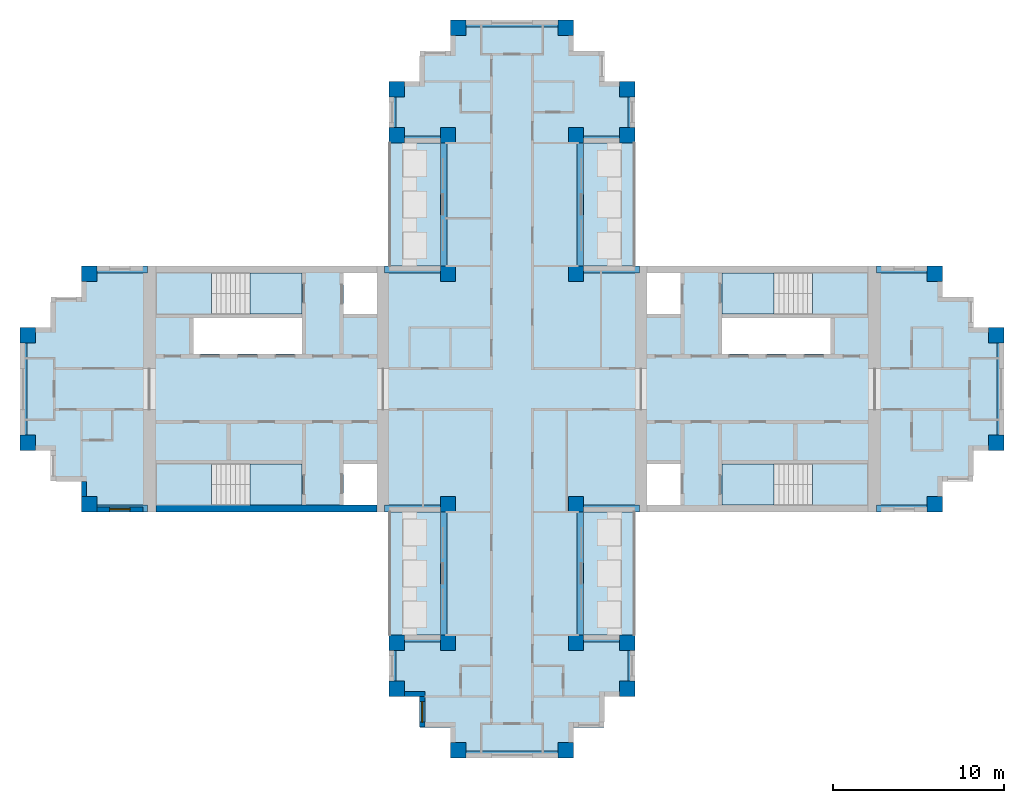
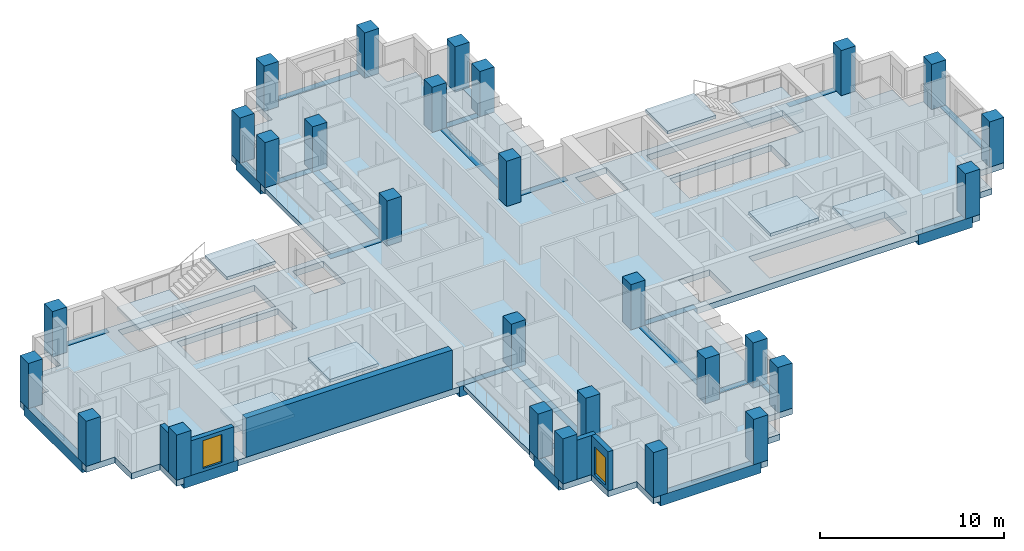
# One storey, part 1 of 10: 28 columns, 24 beams, 13 slabs, 5 walls, 2 windows, 2 openings, 4 elements without a shape of their own.
"""IFC4 building model written with IfcOpenShell, lengths in metres."""

import ifcopenshell
import ifcopenshell.guid

model = None  # the IFC model being written
_history = None  # IfcOwnerHistory: only IFC2X3 demands one
_inside = {}  # id of a spatial element -> (the spatial element, [elements in it])
_under = {}  # id of a project, library or spatial element -> (it, [spatial elements below it])
_declared = {}  # id of a project -> (the project, [libraries it declares])
_typed = {}  # id of a type object -> (the type object, [elements of that type])
_made_of = {}  # id of a material, layer set ... -> (it, [elements and type objects made of it])


def new_model(schema):
    """Start an empty IFC model of exactly this schema.

    Asked for "IFC4X3", IfcOpenShell would pick the latest addendum, in which some entities
    have other attributes; the version numbers below select the first issue.
    IFC2X3 requires an IfcOwnerHistory on every rooted entity: one is made here for all.
    """
    global model, _history
    if schema == "IFC4X3":
        model = ifcopenshell.file(schema_version=(4, 3, 0, 0))
    else:
        model = ifcopenshell.file(schema=schema)
    _inside.clear()
    _under.clear()
    _declared.clear()
    _typed.clear()
    _made_of.clear()
    _history = None
    if model.schema == "IFC2X3":
        org = make("IfcOrganization", Name="unknown")
        user = make(
            "IfcPersonAndOrganization",
            ThePerson=make("IfcPerson", FamilyName="unknown"),
            TheOrganization=org,
        )
        app = make(
            "IfcApplication",
            ApplicationDeveloper=org,
            Version="unknown",
            ApplicationFullName="unknown",
            ApplicationIdentifier="unknown",
        )
        _history = make(
            "IfcOwnerHistory",
            OwningUser=user,
            OwningApplication=app,
            ChangeAction="ADDED",
            CreationDate=0,
        )
    return model


def make(cls, **values):
    """One entity of the class cls with the attributes given. An attribute that is None is left unset."""
    return model.create_entity(
        cls, **{name: value for name, value in values.items() if value is not None}
    )


def rooted(cls, **values):
    """An entity with a GlobalId (a new one), such as an element, a storey or a relation."""
    return make(cls, GlobalId=ifcopenshell.guid.new(), OwnerHistory=_history, **values)


def si_unit(unit_type, name, prefix=None):
    """IfcSIUnit, for example si_unit("LENGTHUNIT", "METRE", prefix="MILLI")."""
    return make("IfcSIUnit", UnitType=unit_type, Prefix=prefix, Name=name)


def assignment(units):
    """IfcUnitAssignment: the units of a project."""
    return None if units is None else make("IfcUnitAssignment", Units=units)


def point(xyz):
    """IfcCartesianPoint."""
    return None if xyz is None else make("IfcCartesianPoint", Coordinates=xyz)


def direction(xyz):
    """IfcDirection."""
    return None if xyz is None else make("IfcDirection", DirectionRatios=xyz)


def frame(location, z_axis=None, x_axis=None):
    """IfcAxis2Placement3D, a coordinate frame: its origin and axes. An axis left out is left unset."""
    return make(
        "IfcAxis2Placement3D",
        Location=point(location),
        Axis=direction(z_axis),
        RefDirection=direction(x_axis),
    )


def frame_2d(location, x_axis=None):
    """IfcAxis2Placement2D, a coordinate frame in the plane: its origin and x axis."""
    return make(
        "IfcAxis2Placement2D", Location=point(location), RefDirection=direction(x_axis)
    )


def origin():
    """The frame at (0, 0, 0) with its axes left unset."""
    return frame((0.0, 0.0, 0.0))


def origin_2d():
    """The frame at (0, 0) in the plane with its x axis left unset."""
    return frame_2d((0.0, 0.0))


def place(relative_to, where):
    """IfcLocalPlacement: puts the frame where relative to a parent placement (None: the world)."""
    return make(
        "IfcLocalPlacement", PlacementRelTo=relative_to, RelativePlacement=where
    )


def context(
    kind, dimensions, precision=None, world=None, true_north=None, identifier=None
):
    """IfcGeometricRepresentationContext, for example the 3D "Model" context."""
    return make(
        "IfcGeometricRepresentationContext",
        ContextIdentifier=identifier,
        ContextType=kind,
        CoordinateSpaceDimension=dimensions,
        Precision=precision,
        WorldCoordinateSystem=world,
        TrueNorth=true_north,
    )


def subcontext(parent, identifier, kind, view, scale=None):
    """IfcGeometricRepresentationSubContext, for example "Body" below "Model"."""
    return make(
        "IfcGeometricRepresentationSubContext",
        ContextIdentifier=identifier,
        ContextType=kind,
        ParentContext=parent,
        TargetScale=scale,
        TargetView=view,
    )


def project(units=None, contexts=None):
    """IfcProject with its units and contexts."""
    return rooted(
        "IfcProject",
        Name="project",
        RepresentationContexts=contexts,
        UnitsInContext=assignment(units),
    )


def spatial(cls, under=None, at=None, **own):
    """A site, building, storey or space (cls), placed at a placement, below another one or the project."""
    s = rooted(cls, ObjectPlacement=at, **own)
    if under is not None:
        _under.setdefault(under.id(), (under, []))[1].append(s)
    return s


def polyline(points):
    """IfcPolyline through the points."""
    return make("IfcPolyline", Points=[point(p) for p in points])


def profile(cls, at=None, kind="AREA", **sizes):
    """A parametric profile (cls). Its sizes go by their IFC names, for example OverallWidth=200.0."""
    return make(cls, ProfileType=kind, Position=at, **sizes)


def rectangle(**sizes):
    """IfcRectangleProfileDef."""
    return profile("IfcRectangleProfileDef", **sizes)


def outline(outer, holes=None, kind="AREA"):
    """IfcArbitraryClosedProfileDef: a profile drawn as a closed curve; with holes, ...WithVoids."""
    if holes is None:
        return make("IfcArbitraryClosedProfileDef", ProfileType=kind, OuterCurve=outer)
    return make(
        "IfcArbitraryProfileDefWithVoids",
        ProfileType=kind,
        OuterCurve=outer,
        InnerCurves=holes,
    )


def extrude(swept, where, along, depth):
    """IfcExtrudedAreaSolid: the profile swept, set in the frame where, extruded along a direction by depth."""
    return make(
        "IfcExtrudedAreaSolid",
        SweptArea=swept,
        Position=where,
        ExtrudedDirection=direction(along),
        Depth=depth,
    )


def shape(context_of_items, identifier, shape_type, items):
    """IfcShapeRepresentation: the items that make up one representation, for example the "Body"."""
    return make(
        "IfcShapeRepresentation",
        ContextOfItems=context_of_items,
        RepresentationIdentifier=identifier,
        RepresentationType=shape_type,
        Items=items,
    )


def material(Name=None, Category=None):
    """IfcMaterial."""
    return make("IfcMaterial", Name=Name, Category=Category)


def layer(
    of_material, thickness, ventilated=None, Name=None, Category=None, Priority=None
):
    """IfcMaterialLayer: one layer of a wall or slab, of a material (None: an air gap)."""
    return make(
        "IfcMaterialLayer",
        Material=of_material,
        LayerThickness=thickness,
        IsVentilated=ventilated,
        Name=Name,
        Category=Category,
        Priority=Priority,
    )


def layer_set(layers, Name=None):
    """IfcMaterialLayerSet."""
    return make("IfcMaterialLayerSet", MaterialLayers=layers, LayerSetName=Name)


def material_profile(
    of_material, cross_section, Name=None, Category=None, Priority=None
):
    """IfcMaterialProfile: a cross section and its material."""
    return make(
        "IfcMaterialProfile",
        Name=Name,
        Material=of_material,
        Profile=cross_section,
        Priority=Priority,
        Category=Category,
    )


def profile_set(profiles, Name=None, composite=None):
    """IfcMaterialProfileSet."""
    return make(
        "IfcMaterialProfileSet",
        Name=Name,
        MaterialProfiles=profiles,
        CompositeProfile=composite,
    )


def made_of(thing, what):
    """Note that an element or type object is made of a material, layer set ...; save() writes the relation."""
    if what is not None:
        _made_of.setdefault(what.id(), (what, []))[1].append(thing)
    return thing


def type_object(cls, material=None, **own):
    """A type object (cls), such as IfcWallType, which elements share."""
    return made_of(rooted(cls, **own), material)


def element(
    cls,
    number,
    at=None,
    inside=None,
    cuts=None,
    type_object=None,
    material=None,
    context=None,
    identifier="Body",
    shape_type=None,
    held_by="IfcProductDefinitionShape",
    body=None,
    shapes=None,
    **own,
):
    """One element of the class cls, such as IfcWall. Its Tag is "e" and its number.

    at: its placement. inside: the storey or other place that contains it. cuts: it is an
    opening in that element (IfcRelVoidsElement). A single representation is given by context,
    identifier, shape_type and body (its items); several are given by shapes. held_by: the class
    of the entity that holds the representations. save() writes the other relations.
    """
    e = rooted(cls, Tag="e%d" % number, ObjectPlacement=at, **own)
    if body is not None:
        shapes = [shape(context, identifier, shape_type, body)]
    if shapes is not None:
        e.Representation = make(held_by, Representations=shapes)
    if inside is not None:
        _inside.setdefault(inside.id(), (inside, []))[1].append(e)
    if cuts is not None:
        rooted(
            "IfcRelVoidsElement", RelatingBuildingElement=cuts, RelatedOpeningElement=e
        )
    if type_object is not None:
        _typed.setdefault(type_object.id(), (type_object, []))[1].append(e)
    return made_of(e, material)


def fill(opening, filler):
    """IfcRelFillsElement: the door or window that sits in an opening."""
    return rooted(
        "IfcRelFillsElement",
        RelatingOpeningElement=opening,
        RelatedBuildingElement=filler,
    )


def aggregate(whole, parts):
    """IfcRelAggregates: a whole, such as a stair, and the parts it consists of."""
    return rooted("IfcRelAggregates", RelatingObject=whole, RelatedObjects=parts)


def save(model, path):
    """Write the relations noted so far, then the file.

    IfcRelAggregates (storeys below a building ...), IfcRelContainedInSpatialStructure (elements
    in a storey), IfcRelDefinesByType, IfcRelAssociatesMaterial and IfcRelDeclares: one each for
    every whole, place, type object, material and project.
    """
    for whole, parts in _under.values():
        aggregate(whole, parts)
    for where, things in _inside.values():
        rooted(
            "IfcRelContainedInSpatialStructure",
            RelatedElements=things,
            RelatingStructure=where,
        )
    for kind, things in _typed.values():
        rooted("IfcRelDefinesByType", RelatedObjects=things, RelatingType=kind)
    for what, things in _made_of.values():
        rooted("IfcRelAssociatesMaterial", RelatedObjects=things, RelatingMaterial=what)
    for by, libraries in _declared.values():
        rooted("IfcRelDeclares", RelatingContext=by, RelatedDefinitions=libraries)
    model.write(path)


model = new_model("IFC4")

# Units and contexts
model_context = context("Model", 3, precision=1e-05, world=origin(), true_north=direction((0.0, 1.0)))
body_context = subcontext(model_context, "Body", "Model", "MODEL_VIEW")
ifc_project = project(units=[si_unit("LENGTHUNIT", "METRE"), si_unit("AREAUNIT", "SQUARE_METRE"), si_unit("VOLUMEUNIT", "CUBIC_METRE"), si_unit("PLANEANGLEUNIT", "RADIAN"), si_unit("MASSUNIT", "GRAM", prefix="KILO")], contexts=[model_context])

# Site, building, storey
site_placement = place(None, origin())
site = spatial("IfcSite", under=ifc_project, at=site_placement, CompositionType="ELEMENT")
building_placement = place(site_placement, origin())
building = spatial("IfcBuilding", under=site, at=building_placement, Name="Fustian Cross Tower", CompositionType="ELEMENT")
storey_placement = place(building_placement, frame((0.0, 0.0, 225.89990234375)))
storey = spatial("IfcBuildingStorey", under=building, at=storey_placement, Name="L71", CompositionType="ELEMENT", Elevation=225.89990234375)

# Columns
ifc_material_1 = material(Name="Concrete C40/50", Category="concrete")
ifc_material_profile_1 = material_profile(ifc_material_1, rectangle(XDim=0.89990234375, YDim=0.89990234375, at=origin_2d()), Name="RC 900x900")
ifc_profile_set_1 = profile_set([ifc_material_profile_1], Name="Concrete C40/50")
column_type = type_object("IfcColumnType", Name="COLUMN RC 900x900 C40/50", PredefinedType="COLUMN", material=ifc_profile_set_1)
for number, where, z_axis, x_axis, name in (
    (1, (-28.35009765625, -3.14990234375, 0.0), (0.0, 0.0, 1.0), (1.0, 0.0, 0.0), "COLUMN 008"),
    (2, (-28.35009765625, 3.14990234375, 0.0), (0.0, 0.0, 1.0), (1.0, 0.0, 0.0), "COLUMN 009"),
    (3, (-24.75, -6.75, 0.0), (0.0, 0.0, 1.0), (1.0, 0.0, 0.0), "COLUMN 011"),
    (4, (-24.75, 6.75, 0.0), (0.0, 0.0, 1.0), (1.0, 0.0, 0.0), "COLUMN 012"),
    (5, (-6.75, -17.550048828125, 0.0), (0.0, 0.0, 1.0), (1.0, 0.0, 0.0), "COLUMN 017"),
    (6, (-6.75, -14.85009765625, 0.0), (0.0, 0.0, 1.0), (1.0, 0.0, 0.0), "COLUMN 018"),
    (7, (-6.75, 14.85009765625, 0.0), (0.0, 0.0, 1.0), (1.0, 0.0, 0.0), "COLUMN 019"),
    (8, (-6.75, 17.550048828125, 0.0), (0.0, 0.0, 1.0), (1.0, 0.0, 0.0), "COLUMN 020"),
    (9, (-3.75, -14.85009765625, 0.0), (0.0, 0.0, 1.0), (1.0, 0.0, 0.0), "COLUMN 025"),
    (10, (-3.75, -6.75, 0.0), (0.0, 0.0, 1.0), (1.0, 0.0, 0.0), "COLUMN 026"),
    (11, (-3.75, 6.75, 0.0), (0.0, 0.0, 1.0), (1.0, 0.0, 0.0), "COLUMN 027"),
    (12, (-3.75, 14.85009765625, 0.0), (0.0, 0.0, 1.0), (1.0, 0.0, 0.0), "COLUMN 028"),
    (13, (-3.14990234375, -21.14990234375, 0.0), (0.0, 0.0, 1.0), (1.0, 0.0, 0.0), "COLUMN 030"),
    (14, (-3.14990234375, 21.14990234375, 0.0), (0.0, 0.0, 1.0), (1.0, 0.0, 0.0), "COLUMN 031"),
    (15, (3.14990234375, -21.14990234375, 0.0), (0.0, 0.0, 1.0), (1.0, 0.0, 0.0), "COLUMN 034"),
    (16, (3.14990234375, 21.14990234375, 0.0), (0.0, 0.0, 1.0), (1.0, 0.0, 0.0), "COLUMN 035"),
    (17, (3.75, -14.85009765625, 0.0), (0.0, 0.0, 1.0), (1.0, 0.0, 0.0), "COLUMN 037"),
    (18, (3.75, -6.75, 0.0), (0.0, 0.0, 1.0), (1.0, 0.0, 0.0), "COLUMN 038"),
    (19, (3.75, 6.75, 0.0), (0.0, 0.0, 1.0), (1.0, 0.0, 0.0), "COLUMN 039"),
    (20, (3.75, 14.85009765625, 0.0), (0.0, 0.0, 1.0), (1.0, 0.0, 0.0), "COLUMN 040"),
    (21, (6.75, -17.550048828125, 0.0), (0.0, 0.0, 1.0), (1.0, 0.0, 0.0), "COLUMN 045"),
    (22, (6.75, -14.85009765625, 0.0), (0.0, 0.0, 1.0), (1.0, 0.0, 0.0), "COLUMN 046"),
    (23, (6.75, 14.85009765625, 0.0), (0.0, 0.0, 1.0), (1.0, 0.0, 0.0), "COLUMN 047"),
    (24, (6.75, 17.550048828125, 0.0), (0.0, 0.0, 1.0), (1.0, 0.0, 0.0), "COLUMN 048"),
    (25, (24.75, -6.75, 0.0), (0.0, 0.0, 1.0), (1.0, 0.0, 0.0), "COLUMN 053"),
    (26, (24.75, 6.75, 0.0), (0.0, 0.0, 1.0), (1.0, 0.0, 0.0), "COLUMN 054"),
    (27, (28.35009765625, -3.14990234375, 0.0), (0.0, 0.0, 1.0), (1.0, 0.0, 0.0), "COLUMN 056"),
    (28, (28.35009765625, 3.14990234375, 0.0), (0.0, 0.0, 1.0), (1.0, 0.0, 0.0), "COLUMN 057"),
):
    element("IfcColumn", number, at=place(storey_placement, frame(where, z_axis=z_axis, x_axis=x_axis)), inside=storey, type_object=column_type, Name=name, PredefinedType="COLUMN", context=body_context, shape_type="SweptSolid", body=[
        extrude(rectangle(XDim=0.89990234375, YDim=0.89990234375, at=origin_2d()), origin(), (0.0, 0.0, 1.0), 3.0),
    ])

# Beams
ifc_material_2 = material(Name="Concrete C50/60", Category="concrete")
ifc_material_profile_2 = material_profile(ifc_material_2, rectangle(XDim=0.39990234375, YDim=0.699951171875, at=origin_2d()), Name="RC 400x700")
ifc_profile_set_2 = profile_set([ifc_material_profile_2], Name="Concrete C50/60")
beam_type = type_object("IfcBeamType", Name="EDGE BEAM RC 400x700 C50/60", PredefinedType="SPANDREL", material=ifc_profile_set_2)
beam_1_placement = place(storey_placement, frame((21.35009765625, -7.0, -0.349853515625), z_axis=(1.0, 0.0, 0.0), x_axis=(0.0, 1.0, 0.0)))
element("IfcBeam", 29, at=beam_1_placement, inside=storey, type_object=beam_type, Name="EDGE BEAM L71-01", PredefinedType="SPANDREL", context=body_context, shape_type="SweptSolid", body=[
    extrude(rectangle(XDim=0.39990234375, YDim=0.699951171875, at=origin_2d()), origin(), (0.0, 0.0, 1.0), 3.39990234375),
])
beam_2_placement = place(storey_placement, frame((28.60009765625, -3.14990234375, -0.349853515625), z_axis=(0.0, 1.0, 0.0), x_axis=(-1.0, 0.0, 0.0)))
element("IfcBeam", 30, at=beam_2_placement, inside=storey, type_object=beam_type, Name="EDGE BEAM L71-02", PredefinedType="SPANDREL", context=body_context, shape_type="SweptSolid", body=[
    extrude(rectangle(XDim=0.39990234375, YDim=0.699951171875, at=origin_2d()), origin(), (0.0, 0.0, 1.0), 6.2998046875),
])
beam_3_placement = place(storey_placement, frame((24.75, 7.0, -0.349853515625), z_axis=(-1.0, 0.0, 0.0), x_axis=(0.0, -1.0, 0.0)))
element("IfcBeam", 31, at=beam_3_placement, inside=storey, type_object=beam_type, Name="EDGE BEAM L71-03", PredefinedType="SPANDREL", context=body_context, shape_type="SweptSolid", body=[
    extrude(rectangle(XDim=0.39990234375, YDim=0.699951171875, at=origin_2d()), origin(), (0.0, 0.0, 1.0), 3.39990234375),
])
beam_4_placement = place(storey_placement, frame((7.449951171875, 7.0, -0.349853515625), z_axis=(-1.0, 0.0, 0.0), x_axis=(0.0, -1.0, 0.0)))
element("IfcBeam", 32, at=beam_4_placement, inside=storey, type_object=beam_type, Name="EDGE BEAM L71-04", PredefinedType="SPANDREL", context=body_context, shape_type="SweptSolid", body=[
    extrude(rectangle(XDim=0.39990234375, YDim=0.699951171875, at=origin_2d()), origin(), (0.0, 0.0, 1.0), 3.699951171875),
])
beam_5_placement = place(storey_placement, frame((4.0, 6.75, -0.349853515625), z_axis=(0.0, 1.0, 0.0), x_axis=(-1.0, 0.0, 0.0)))
element("IfcBeam", 33, at=beam_5_placement, inside=storey, type_object=beam_type, Name="EDGE BEAM L71-05", PredefinedType="SPANDREL", context=body_context, shape_type="SweptSolid", body=[
    extrude(rectangle(XDim=0.39990234375, YDim=0.699951171875, at=origin_2d()), origin(), (0.0, 0.0, 1.0), 8.10009765625),
])
beam_6_placement = place(storey_placement, frame((3.75, 14.60009765625, -0.349853515625), z_axis=(1.0, 0.0, 0.0), x_axis=(0.0, 1.0, 0.0)))
element("IfcBeam", 34, at=beam_6_placement, inside=storey, type_object=beam_type, Name="EDGE BEAM L71-06", PredefinedType="SPANDREL", context=body_context, shape_type="SweptSolid", body=[
    extrude(rectangle(XDim=0.39990234375, YDim=0.699951171875, at=origin_2d()), origin(), (0.0, 0.0, 1.0), 3.0),
])
beam_7_placement = place(storey_placement, frame((7.0, 14.85009765625, -0.349853515625), z_axis=(0.0, 1.0, 0.0), x_axis=(-1.0, 0.0, 0.0)))
element("IfcBeam", 35, at=beam_7_placement, inside=storey, type_object=beam_type, Name="EDGE BEAM L71-07", PredefinedType="SPANDREL", context=body_context, shape_type="SweptSolid", body=[
    extrude(rectangle(XDim=0.39990234375, YDim=0.699951171875, at=origin_2d()), origin(), (0.0, 0.0, 1.0), 2.699951171875),
])
beam_8_placement = place(storey_placement, frame((3.14990234375, 21.39990234375, -0.349853515625), z_axis=(-1.0, 0.0, 0.0), x_axis=(0.0, -1.0, 0.0)))
element("IfcBeam", 36, at=beam_8_placement, inside=storey, type_object=beam_type, Name="EDGE BEAM L71-08", PredefinedType="SPANDREL", context=body_context, shape_type="SweptSolid", body=[
    extrude(rectangle(XDim=0.39990234375, YDim=0.699951171875, at=origin_2d()), origin(), (0.0, 0.0, 1.0), 6.2998046875),
])
beam_9_placement = place(storey_placement, frame((-7.0, 17.550048828125, -0.349853515625), z_axis=(0.0, -1.0, 0.0), x_axis=(1.0, 0.0, 0.0)))
element("IfcBeam", 37, at=beam_9_placement, inside=storey, type_object=beam_type, Name="EDGE BEAM L71-09", PredefinedType="SPANDREL", context=body_context, shape_type="SweptSolid", body=[
    extrude(rectangle(XDim=0.39990234375, YDim=0.699951171875, at=origin_2d()), origin(), (0.0, 0.0, 1.0), 2.699951171875),
])
beam_10_placement = place(storey_placement, frame((-6.75, 14.60009765625, -0.349853515625), z_axis=(1.0, 0.0, 0.0), x_axis=(0.0, 1.0, 0.0)))
element("IfcBeam", 38, at=beam_10_placement, inside=storey, type_object=beam_type, Name="EDGE BEAM L71-10", PredefinedType="SPANDREL", context=body_context, shape_type="SweptSolid", body=[
    extrude(rectangle(XDim=0.39990234375, YDim=0.699951171875, at=origin_2d()), origin(), (0.0, 0.0, 1.0), 3.0),
])
beam_11_placement = place(storey_placement, frame((-4.0, 14.85009765625, -0.349853515625), z_axis=(0.0, -1.0, 0.0), x_axis=(1.0, 0.0, 0.0)))
element("IfcBeam", 39, at=beam_11_placement, inside=storey, type_object=beam_type, Name="EDGE BEAM L71-11", PredefinedType="SPANDREL", context=body_context, shape_type="SweptSolid", body=[
    extrude(rectangle(XDim=0.39990234375, YDim=0.699951171875, at=origin_2d()), origin(), (0.0, 0.0, 1.0), 8.10009765625),
])
beam_12_placement = place(storey_placement, frame((-3.75, 7.0, -0.349853515625), z_axis=(-1.0, 0.0, 0.0), x_axis=(0.0, -1.0, 0.0)))
element("IfcBeam", 40, at=beam_12_placement, inside=storey, type_object=beam_type, Name="EDGE BEAM L71-12", PredefinedType="SPANDREL", context=body_context, shape_type="SweptSolid", body=[
    extrude(rectangle(XDim=0.39990234375, YDim=0.699951171875, at=origin_2d()), origin(), (0.0, 0.0, 1.0), 3.699951171875),
])
beam_13_placement = place(storey_placement, frame((-21.35009765625, 7.0, -0.349853515625), z_axis=(-1.0, 0.0, 0.0), x_axis=(0.0, -1.0, 0.0)))
element("IfcBeam", 41, at=beam_13_placement, inside=storey, type_object=beam_type, Name="EDGE BEAM L71-13", PredefinedType="SPANDREL", context=body_context, shape_type="SweptSolid", body=[
    extrude(rectangle(XDim=0.39990234375, YDim=0.699951171875, at=origin_2d()), origin(), (0.0, 0.0, 1.0), 3.39990234375),
])
beam_14_placement = place(storey_placement, frame((-28.60009765625, 3.14990234375, -0.349853515625), z_axis=(0.0, -1.0, 0.0), x_axis=(1.0, 0.0, 0.0)))
element("IfcBeam", 42, at=beam_14_placement, inside=storey, type_object=beam_type, Name="EDGE BEAM L71-14", PredefinedType="SPANDREL", context=body_context, shape_type="SweptSolid", body=[
    extrude(rectangle(XDim=0.39990234375, YDim=0.699951171875, at=origin_2d()), origin(), (0.0, 0.0, 1.0), 6.2998046875),
])
beam_15_placement = place(storey_placement, frame((-24.75, -7.0, -0.349853515625), z_axis=(1.0, 0.0, 0.0), x_axis=(0.0, 1.0, 0.0)))
element("IfcBeam", 43, at=beam_15_placement, inside=storey, type_object=beam_type, Name="EDGE BEAM L71-15", PredefinedType="SPANDREL", context=body_context, shape_type="SweptSolid", body=[
    extrude(rectangle(XDim=0.39990234375, YDim=0.699951171875, at=origin_2d()), origin(), (0.0, 0.0, 1.0), 3.39990234375),
])
beam_16_placement = place(storey_placement, frame((-7.449951171875, -7.0, -0.349853515625), z_axis=(1.0, 0.0, 0.0), x_axis=(0.0, 1.0, 0.0)))
element("IfcBeam", 44, at=beam_16_placement, inside=storey, type_object=beam_type, Name="EDGE BEAM L71-16", PredefinedType="SPANDREL", context=body_context, shape_type="SweptSolid", body=[
    extrude(rectangle(XDim=0.39990234375, YDim=0.699951171875, at=origin_2d()), origin(), (0.0, 0.0, 1.0), 3.699951171875),
])
beam_17_placement = place(storey_placement, frame((-4.0, -6.75, -0.349853515625), z_axis=(0.0, -1.0, 0.0), x_axis=(1.0, 0.0, 0.0)))
element("IfcBeam", 45, at=beam_17_placement, inside=storey, type_object=beam_type, Name="EDGE BEAM L71-17", PredefinedType="SPANDREL", context=body_context, shape_type="SweptSolid", body=[
    extrude(rectangle(XDim=0.39990234375, YDim=0.699951171875, at=origin_2d()), origin(), (0.0, 0.0, 1.0), 8.10009765625),
])
beam_18_placement = place(storey_placement, frame((-3.75, -14.60009765625, -0.349853515625), z_axis=(-1.0, 0.0, 0.0), x_axis=(0.0, -1.0, 0.0)))
element("IfcBeam", 46, at=beam_18_placement, inside=storey, type_object=beam_type, Name="EDGE BEAM L71-18", PredefinedType="SPANDREL", context=body_context, shape_type="SweptSolid", body=[
    extrude(rectangle(XDim=0.39990234375, YDim=0.699951171875, at=origin_2d()), origin(), (0.0, 0.0, 1.0), 3.0),
])
beam_19_placement = place(storey_placement, frame((-7.0, -14.85009765625, -0.349853515625), z_axis=(0.0, -1.0, 0.0), x_axis=(1.0, 0.0, 0.0)))
element("IfcBeam", 47, at=beam_19_placement, inside=storey, type_object=beam_type, Name="EDGE BEAM L71-19", PredefinedType="SPANDREL", context=body_context, shape_type="SweptSolid", body=[
    extrude(rectangle(XDim=0.39990234375, YDim=0.699951171875, at=origin_2d()), origin(), (0.0, 0.0, 1.0), 2.699951171875),
])
beam_20_placement = place(storey_placement, frame((-3.14990234375, -21.39990234375, -0.349853515625), z_axis=(1.0, 0.0, 0.0), x_axis=(0.0, 1.0, 0.0)))
element("IfcBeam", 48, at=beam_20_placement, inside=storey, type_object=beam_type, Name="EDGE BEAM L71-20", PredefinedType="SPANDREL", context=body_context, shape_type="SweptSolid", body=[
    extrude(rectangle(XDim=0.39990234375, YDim=0.699951171875, at=origin_2d()), origin(), (0.0, 0.0, 1.0), 6.2998046875),
])
beam_21_placement = place(storey_placement, frame((7.0, -17.550048828125, -0.349853515625), z_axis=(0.0, 1.0, 0.0), x_axis=(-1.0, 0.0, 0.0)))
element("IfcBeam", 49, at=beam_21_placement, inside=storey, type_object=beam_type, Name="EDGE BEAM L71-21", PredefinedType="SPANDREL", context=body_context, shape_type="SweptSolid", body=[
    extrude(rectangle(XDim=0.39990234375, YDim=0.699951171875, at=origin_2d()), origin(), (0.0, 0.0, 1.0), 2.699951171875),
])
beam_22_placement = place(storey_placement, frame((6.75, -14.60009765625, -0.349853515625), z_axis=(-1.0, 0.0, 0.0), x_axis=(0.0, -1.0, 0.0)))
element("IfcBeam", 50, at=beam_22_placement, inside=storey, type_object=beam_type, Name="EDGE BEAM L71-22", PredefinedType="SPANDREL", context=body_context, shape_type="SweptSolid", body=[
    extrude(rectangle(XDim=0.39990234375, YDim=0.699951171875, at=origin_2d()), origin(), (0.0, 0.0, 1.0), 3.0),
])
beam_23_placement = place(storey_placement, frame((4.0, -14.85009765625, -0.349853515625), z_axis=(0.0, 1.0, 0.0), x_axis=(-1.0, 0.0, 0.0)))
element("IfcBeam", 51, at=beam_23_placement, inside=storey, type_object=beam_type, Name="EDGE BEAM L71-23", PredefinedType="SPANDREL", context=body_context, shape_type="SweptSolid", body=[
    extrude(rectangle(XDim=0.39990234375, YDim=0.699951171875, at=origin_2d()), origin(), (0.0, 0.0, 1.0), 8.10009765625),
])
beam_24_placement = place(storey_placement, frame((3.75, -7.0, -0.349853515625), z_axis=(1.0, 0.0, 0.0), x_axis=(0.0, 1.0, 0.0)))
element("IfcBeam", 52, at=beam_24_placement, inside=storey, type_object=beam_type, Name="EDGE BEAM L71-24", PredefinedType="SPANDREL", context=body_context, shape_type="SweptSolid", body=[
    extrude(rectangle(XDim=0.39990234375, YDim=0.699951171875, at=origin_2d()), origin(), (0.0, 0.0, 1.0), 3.699951171875),
])

# Slabs
ifc_material_3 = material(Name="Concrete C40/50", Category="concrete")
ifc_layer_1 = layer(ifc_material_3, 0.300048828125)
ifc_layer_set_1 = layer_set([ifc_layer_1], Name="Concrete C40/50")
slab_type_1 = type_object("IfcSlabType", Name="BS1 BALCONY SLAB 300", PredefinedType="FLOOR", material=ifc_layer_set_1)
slab_1_placement = place(storey_placement, frame((0.0, 0.0, -0.2998046875)))
element("IfcSlab", 53, at=slab_1_placement, inside=storey, type_object=slab_type_1, Name="Balcony slab", PredefinedType="FLOOR", context=body_context, shape_type="SweptSolid", body=[
    extrude(outline(polyline([(4.199951171875, 7.199951171875), (7.199951171875, 7.199951171875), (7.199951171875, 14.39990234375), (4.199951171875, 14.39990234375), (4.199951171875, 7.199951171875)])), origin(), (0.0, 0.0, 1.0), 0.2998046875),
])
slab_2_placement = place(storey_placement, frame((0.0, 0.0, -0.2998046875)))
element("IfcSlab", 54, at=slab_2_placement, inside=storey, type_object=slab_type_1, Name="Balcony slab", PredefinedType="FLOOR", context=body_context, shape_type="SweptSolid", body=[
    extrude(outline(polyline([(-7.199951171875, 7.199951171875), (-4.199951171875, 7.199951171875), (-4.199951171875, 14.39990234375), (-7.199951171875, 14.39990234375), (-7.199951171875, 7.199951171875)])), origin(), (0.0, 0.0, 1.0), 0.2998046875),
])
slab_3_placement = place(storey_placement, frame((0.0, 0.0, -0.2998046875)))
element("IfcSlab", 55, at=slab_3_placement, inside=storey, type_object=slab_type_1, Name="Balcony slab", PredefinedType="FLOOR", context=body_context, shape_type="SweptSolid", body=[
    extrude(outline(polyline([(4.199951171875, -14.39990234375), (7.199951171875, -14.39990234375), (7.199951171875, -7.199951171875), (4.199951171875, -7.199951171875), (4.199951171875, -14.39990234375)])), origin(), (0.0, 0.0, 1.0), 0.2998046875),
])
slab_4_placement = place(storey_placement, frame((0.0, 0.0, -0.2998046875)))
element("IfcSlab", 56, at=slab_4_placement, inside=storey, type_object=slab_type_1, Name="Balcony slab", PredefinedType="FLOOR", context=body_context, shape_type="SweptSolid", body=[
    extrude(outline(polyline([(-7.199951171875, -14.39990234375), (-4.199951171875, -14.39990234375), (-4.199951171875, -7.199951171875), (-7.199951171875, -7.199951171875), (-7.199951171875, -14.39990234375)])), origin(), (0.0, 0.0, 1.0), 0.2998046875),
])
ifc_material_4 = material(Name="Concrete C40/50", Category="concrete")
ifc_layer_2 = layer(ifc_material_4, 0.39990234375)
ifc_layer_set_2 = layer_set([ifc_layer_2], Name="Concrete C40/50")
slab_type_2 = type_object("IfcSlabType", Name="FLAT SLAB 400", PredefinedType="FLOOR", material=ifc_layer_set_2)
slab_5_placement = place(storey_placement, frame((0.0, 0.0, -0.39990234375)))
element("IfcSlab", 57, at=slab_5_placement, inside=storey, type_object=slab_type_2, Name="FLOOR SLAB L71-1", PredefinedType="FLOOR", context=body_context, shape_type="SweptSolid", body=[
    extrude(outline(polyline([(-3.60009765625, -19.800048828125), (-5.39990234375, -19.800048828125), (-5.39990234375, -18.0), (-7.199951171875, -18.0), (-7.199951171875, -14.39990234375), (-4.199951171875, -14.39990234375), (-4.199951171875, -7.199951171875), (-25.199951171875, -7.199951171875), (-25.199951171875, -5.39990234375), (-27.0, -5.39990234375), (-27.0, -3.60009765625), (-28.800048828125, -3.60009765625), (-28.800048828125, 3.60009765625), (-27.0, 3.60009765625), (-27.0, 5.39990234375), (-25.199951171875, 5.39990234375), (-25.199951171875, 7.199951171875), (-4.199951171875, 7.199951171875), (-4.199951171875, 14.39990234375), (-7.199951171875, 14.39990234375), (-7.199951171875, 18.0), (-5.39990234375, 18.0), (-5.39990234375, 19.800048828125), (-3.60009765625, 19.800048828125), (-3.60009765625, 21.60009765625), (3.60009765625, 21.60009765625), (3.60009765625, 19.800048828125), (5.39990234375, 19.800048828125), (5.39990234375, 18.0), (7.199951171875, 18.0), (7.199951171875, 14.39990234375), (4.199951171875, 14.39990234375), (4.199951171875, 7.199951171875), (25.199951171875, 7.199951171875), (25.199951171875, 5.39990234375), (27.0, 5.39990234375), (27.0, 3.60009765625), (28.800048828125, 3.60009765625), (28.800048828125, -3.60009765625), (27.0, -3.60009765625), (27.0, -5.39990234375), (25.199951171875, -5.39990234375), (25.199951171875, -7.199951171875), (4.199951171875, -7.199951171875), (4.199951171875, -14.39990234375), (7.199951171875, -14.39990234375), (7.199951171875, -18.0), (5.39990234375, -18.0), (5.39990234375, -19.800048828125), (3.60009765625, -19.800048828125), (3.60009765625, -21.60009765625), (-3.60009765625, -21.60009765625), (-3.60009765625, -19.800048828125)]), holes=[polyline([(7.89990234375, 6.800048828125), (7.89990234375, 4.39990234375), (9.85009765625, 4.39990234375), (9.85009765625, 6.800048828125), (7.89990234375, 6.800048828125)]), polyline([(9.85009765625, -4.39990234375), (7.89990234375, -4.39990234375), (7.89990234375, -6.800048828125), (9.85009765625, -6.800048828125), (9.85009765625, -4.39990234375)]), polyline([(-7.89990234375, 4.39990234375), (-7.89990234375, 6.800048828125), (-9.85009765625, 6.800048828125), (-9.85009765625, 4.39990234375), (-7.89990234375, 4.39990234375)]), polyline([(-9.85009765625, -6.800048828125), (-7.89990234375, -6.800048828125), (-7.89990234375, -4.39990234375), (-9.85009765625, -4.39990234375), (-9.85009765625, -6.800048828125)]), polyline([(12.300048828125, 4.14990234375), (12.300048828125, 2.050048828125), (18.64990234375, 2.050048828125), (18.64990234375, 4.14990234375), (12.300048828125, 4.14990234375)]), polyline([(-12.300048828125, 4.14990234375), (-18.64990234375, 4.14990234375), (-18.64990234375, 2.050048828125), (-12.300048828125, 2.050048828125), (-12.300048828125, 4.14990234375)]), polyline([(20.85009765625, 4.39990234375), (20.85009765625, 6.699951171875), (12.300048828125, 6.699951171875), (12.300048828125, 4.39990234375), (20.85009765625, 4.39990234375)]), polyline([(12.300048828125, -6.699951171875), (20.85009765625, -6.699951171875), (20.85009765625, -4.39990234375), (12.300048828125, -4.39990234375), (12.300048828125, -6.699951171875)]), polyline([(-20.85009765625, 6.699951171875), (-20.85009765625, 4.39990234375), (-12.300048828125, 4.39990234375), (-12.300048828125, 6.699951171875), (-20.85009765625, 6.699951171875)]), polyline([(-12.300048828125, -4.39990234375), (-20.85009765625, -4.39990234375), (-20.85009765625, -6.699951171875), (-12.300048828125, -6.699951171875), (-12.300048828125, -4.39990234375)])]), origin(), (0.0, 0.0, 1.0), 0.39990234375),
])

# Stair, slabs
ifc_material_5 = material(Name="Concrete C50/60", Category="concrete")
stair_type = type_object("IfcStairType", Name="STAIR 1200 HALF TURN", PredefinedType="HALF_TURN_STAIR", material=ifc_material_5)
stair_1_placement = place(storey_placement, origin())
stair_1 = element("IfcStair", 58, at=stair_1_placement, inside=storey, type_object=stair_type, Name="Stair ST1", PredefinedType="HALF_TURN_STAIR")
ifc_material_6 = material(Name="Concrete C50/60", Category="concrete")
ifc_layer_3 = layer(ifc_material_6, 0.199951171875)
ifc_layer_set_3 = layer_set([ifc_layer_3], Name="Concrete C50/60")
slab_type_3 = type_object("IfcSlabType", Name="STAIR LANDING", PredefinedType="LANDING", material=ifc_layer_set_3)
slab_6_placement = place(storey_placement, frame((0.0, 0.0, 1.300048828125)))
slab_6 = element("IfcSlab", 59, at=slab_6_placement, type_object=slab_type_3, Name="ST1 landing 1", PredefinedType="LANDING", context=body_context, shape_type="SweptSolid", body=[
    extrude(outline(polyline([(17.590087890625, 4.39990234375), (20.85009765625, 4.39990234375), (20.85009765625, 6.800048828125), (17.590087890625, 6.800048828125), (17.590087890625, 4.39990234375)])), origin(), (0.0, 0.0, 1.0), 0.199951171875),
])
slab_7_placement = place(storey_placement, frame((0.0, 0.0, 2.800048828125)))
slab_7 = element("IfcSlab", 60, at=slab_7_placement, type_object=slab_type_3, Name="ST1 landing 2", PredefinedType="LANDING", context=body_context, shape_type="SweptSolid", body=[
    extrude(outline(polyline([(12.300048828125, 4.39990234375), (15.35009765625, 4.39990234375), (15.35009765625, 6.800048828125), (12.300048828125, 6.800048828125), (12.300048828125, 4.39990234375)])), origin(), (0.0, 0.0, 1.0), 0.199951171875),
])
aggregate(stair_1, [slab_6, slab_7])

stair_2_placement = place(storey_placement, origin())
stair_2 = element("IfcStair", 61, at=stair_2_placement, inside=storey, type_object=stair_type, Name="Stair ST2", PredefinedType="HALF_TURN_STAIR")
slab_8_placement = place(storey_placement, frame((0.0, 0.0, 1.300048828125)))
slab_8 = element("IfcSlab", 62, at=slab_8_placement, type_object=slab_type_3, Name="ST2 landing 1", PredefinedType="LANDING", context=body_context, shape_type="SweptSolid", body=[
    extrude(outline(polyline([(17.590087890625, -4.39990234375), (20.85009765625, -4.39990234375), (20.85009765625, -6.800048828125), (17.590087890625, -6.800048828125), (17.590087890625, -4.39990234375)])), origin(), (0.0, 0.0, 1.0), 0.199951171875),
])
slab_9_placement = place(storey_placement, frame((0.0, 0.0, 2.800048828125)))
slab_9 = element("IfcSlab", 63, at=slab_9_placement, type_object=slab_type_3, Name="ST2 landing 2", PredefinedType="LANDING", context=body_context, shape_type="SweptSolid", body=[
    extrude(outline(polyline([(12.300048828125, -4.39990234375), (15.35009765625, -4.39990234375), (15.35009765625, -6.800048828125), (12.300048828125, -6.800048828125), (12.300048828125, -4.39990234375)])), origin(), (0.0, 0.0, 1.0), 0.199951171875),
])
aggregate(stair_2, [slab_8, slab_9])

stair_3_placement = place(storey_placement, origin())
stair_3 = element("IfcStair", 64, at=stair_3_placement, inside=storey, type_object=stair_type, Name="Stair ST3", PredefinedType="HALF_TURN_STAIR")
slab_10_placement = place(storey_placement, frame((0.0, 0.0, 1.300048828125)))
slab_10 = element("IfcSlab", 65, at=slab_10_placement, type_object=slab_type_3, Name="ST3 landing 1", PredefinedType="LANDING", context=body_context, shape_type="SweptSolid", body=[
    extrude(outline(polyline([(-17.590087890625, 4.39990234375), (-20.85009765625, 4.39990234375), (-20.85009765625, 6.800048828125), (-17.590087890625, 6.800048828125), (-17.590087890625, 4.39990234375)])), origin(), (0.0, 0.0, 1.0), 0.199951171875),
])
slab_11_placement = place(storey_placement, frame((0.0, 0.0, 2.800048828125)))
slab_11 = element("IfcSlab", 66, at=slab_11_placement, type_object=slab_type_3, Name="ST3 landing 2", PredefinedType="LANDING", context=body_context, shape_type="SweptSolid", body=[
    extrude(outline(polyline([(-12.300048828125, 4.39990234375), (-15.35009765625, 4.39990234375), (-15.35009765625, 6.800048828125), (-12.300048828125, 6.800048828125), (-12.300048828125, 4.39990234375)])), origin(), (0.0, 0.0, 1.0), 0.199951171875),
])
aggregate(stair_3, [slab_10, slab_11])

stair_4_placement = place(storey_placement, origin())
stair_4 = element("IfcStair", 67, at=stair_4_placement, inside=storey, type_object=stair_type, Name="Stair ST4", PredefinedType="HALF_TURN_STAIR")
slab_12_placement = place(storey_placement, frame((0.0, 0.0, 1.300048828125)))
slab_12 = element("IfcSlab", 68, at=slab_12_placement, type_object=slab_type_3, Name="ST4 landing 1", PredefinedType="LANDING", context=body_context, shape_type="SweptSolid", body=[
    extrude(outline(polyline([(-17.590087890625, -4.39990234375), (-20.85009765625, -4.39990234375), (-20.85009765625, -6.800048828125), (-17.590087890625, -6.800048828125), (-17.590087890625, -4.39990234375)])), origin(), (0.0, 0.0, 1.0), 0.199951171875),
])
slab_13_placement = place(storey_placement, frame((0.0, 0.0, 2.800048828125)))
slab_13 = element("IfcSlab", 69, at=slab_13_placement, type_object=slab_type_3, Name="ST4 landing 2", PredefinedType="LANDING", context=body_context, shape_type="SweptSolid", body=[
    extrude(outline(polyline([(-12.300048828125, -4.39990234375), (-15.35009765625, -4.39990234375), (-15.35009765625, -6.800048828125), (-12.300048828125, -6.800048828125), (-12.300048828125, -4.39990234375)])), origin(), (0.0, 0.0, 1.0), 0.199951171875),
])
aggregate(stair_4, [slab_12, slab_13])

# Walls
ifc_material_7 = material(Name="Concrete C50/60", Category="concrete")
ifc_layer_4 = layer(ifc_material_7, 0.39990234375)
ifc_layer_set_4 = layer_set([ifc_layer_4], Name="Concrete C50/60")
wall_type_1 = type_object("IfcWallType", Name="CORE FACADE WALL 400 C50/60", PredefinedType="SHEAR", material=ifc_layer_set_4)
wall_1_placement = place(storey_placement, frame((-7.89990234375, -7.0, 0.0), z_axis=(0.0, 0.0, 1.0), x_axis=(-1.0, 0.0, 0.0)))
element("IfcWall", 70, at=wall_1_placement, inside=storey, type_object=wall_type_1, Name="Core facade wall", PredefinedType="SHEAR", context=body_context, shape_type="SweptSolid", body=[
    extrude(rectangle(XDim=12.9501953125, YDim=0.39990234375, at=frame_2d((6.47509765625, 0.0))), origin(), (0.0, 0.0, 1.0), 2.60009765625),
])
ifc_material_8 = material(Name="Dark aluminium cladding on insulated backing wall", Category="aluminium")
ifc_layer_5 = layer(ifc_material_8, 0.300048828125)
ifc_layer_set_5 = layer_set([ifc_layer_5], Name="Dark aluminium cladding on insulated backing wall")
wall_type_2 = type_object("IfcWallType", Name="XW1 EXTERNAL WALL 300", PredefinedType="SOLIDWALL", material=ifc_layer_set_5)
wall_2_placement = place(storey_placement, frame((-25.050048828125, -5.39990234375, 0.0), z_axis=(0.0, 0.0, 1.0), x_axis=(0.0, -1.0, 0.0)))
element("IfcWall", 71, at=wall_2_placement, inside=storey, type_object=wall_type_2, Name="External wall", PredefinedType="SOLIDWALL", context=body_context, shape_type="SweptSolid", body=[
    extrude(rectangle(XDim=0.900146484375, YDim=0.300048828125, at=frame_2d((0.4501953125, 0.0))), origin(), (0.0, 0.0, 1.0), 2.60009765625),
])

# Wall, opening, window
wall_3_placement = place(storey_placement, frame((-24.300048828125, -7.050048828125, 0.0), z_axis=(0.0, 0.0, 1.0), x_axis=(1.0, 0.0, 0.0)))
wall_3 = element("IfcWall", 72, at=wall_3_placement, inside=storey, type_object=wall_type_2, Name="External wall", PredefinedType="SOLIDWALL", context=body_context, shape_type="SweptSolid", body=[
    extrude(rectangle(XDim=2.699951171875, YDim=0.300048828125, at=frame_2d((1.35009765625, 0.0))), origin(), (0.0, 0.0, 1.0), 2.300048828125),
])
opening_1_placement = place(wall_3_placement, frame((0.75, 0.0, 0.199951171875)))
opening_1 = element("IfcOpeningElement", 73, at=opening_1_placement, cuts=wall_3, Name="Opening WN3", PredefinedType="OPENING", context=body_context, shape_type="SweptSolid", body=[
    extrude(rectangle(XDim=1.199951171875, YDim=1.85009765625, at=frame_2d((0.60009765625, 0.925048828125))), frame((0.0, 0.159912109375, 0.0), z_axis=(0.0, -1.0, 0.0), x_axis=(1.0, 0.0, 0.0)), (0.0, 0.0, 1.0), 0.320068359375),
])
ifc_material_9 = material(Name="Dark anodised aluminium and double glazing", Category="aluminium")
window_type = type_object("IfcWindowType", Name="WN3 WINDOW 1200X1850", PartitioningType="SINGLE_PANEL", PredefinedType="WINDOW", material=ifc_material_9)
window_1_placement = place(opening_1_placement, origin())
window_1 = element("IfcWindow", 74, at=window_1_placement, inside=storey, type_object=window_type, Name="Window", OverallHeight=1.85009765625, OverallWidth=1.199951171875, PartitioningType="SINGLE_PANEL", PredefinedType="WINDOW", context=body_context, shape_type="SweptSolid", body=[
    extrude(rectangle(XDim=1.199951171875, YDim=1.85009765625, at=frame_2d((0.60009765625, 0.925048828125))), frame((0.0, 0.030029296875, 0.0), z_axis=(0.0, -1.0, 0.0), x_axis=(1.0, 0.0, 0.0)), (0.0, 0.0, 1.0), 0.06005859375),
])
fill(opening_1, window_1)

# Wall
wall_4_placement = place(storey_placement, frame((-6.300048828125, -17.85009765625, 0.0), z_axis=(0.0, 0.0, 1.0), x_axis=(1.0, 0.0, 0.0)))
element("IfcWall", 75, at=wall_4_placement, inside=storey, type_object=wall_type_2, Name="External wall", PredefinedType="SOLIDWALL", context=body_context, shape_type="SweptSolid", body=[
    extrude(rectangle(XDim=1.199951171875, YDim=0.300048828125, at=frame_2d((0.60009765625, 0.0))), origin(), (0.0, 0.0, 1.0), 2.60009765625),
])

# Wall, opening, window
wall_5_placement = place(storey_placement, frame((-5.25, -18.0, 0.0), z_axis=(0.0, 0.0, 1.0), x_axis=(0.0, -1.0, 0.0)))
wall_5 = element("IfcWall", 76, at=wall_5_placement, inside=storey, type_object=wall_type_2, Name="External wall", PredefinedType="SOLIDWALL", context=body_context, shape_type="SweptSolid", body=[
    extrude(rectangle(XDim=1.800048828125, YDim=0.300048828125, at=frame_2d((0.89990234375, 0.0))), origin(), (0.0, 0.0, 1.0), 2.60009765625),
])
opening_2_placement = place(wall_5_placement, frame((0.300048828125, 0.0, 0.199951171875)))
opening_2 = element("IfcOpeningElement", 77, at=opening_2_placement, cuts=wall_5, Name="Opening WN3", PredefinedType="OPENING", context=body_context, shape_type="SweptSolid", body=[
    extrude(rectangle(XDim=1.199951171875, YDim=1.85009765625, at=frame_2d((0.60009765625, 0.925048828125))), frame((0.0, 0.159912109375, 0.0), z_axis=(0.0, -1.0, 0.0), x_axis=(1.0, 0.0, 0.0)), (0.0, 0.0, 1.0), 0.320068359375),
])
window_2_placement = place(opening_2_placement, origin())
window_2 = element("IfcWindow", 78, at=window_2_placement, inside=storey, type_object=window_type, Name="Window", OverallHeight=1.85009765625, OverallWidth=1.199951171875, PartitioningType="SINGLE_PANEL", PredefinedType="WINDOW", context=body_context, shape_type="SweptSolid", body=[
    extrude(rectangle(XDim=1.199951171875, YDim=1.85009765625, at=frame_2d((0.60009765625, 0.925048828125))), frame((0.0, 0.030029296875, 0.0), z_axis=(0.0, -1.0, 0.0), x_axis=(1.0, 0.0, 0.0)), (0.0, 0.0, 1.0), 0.06005859375),
])
fill(opening_2, window_2)

save(model, "model.ifc")
